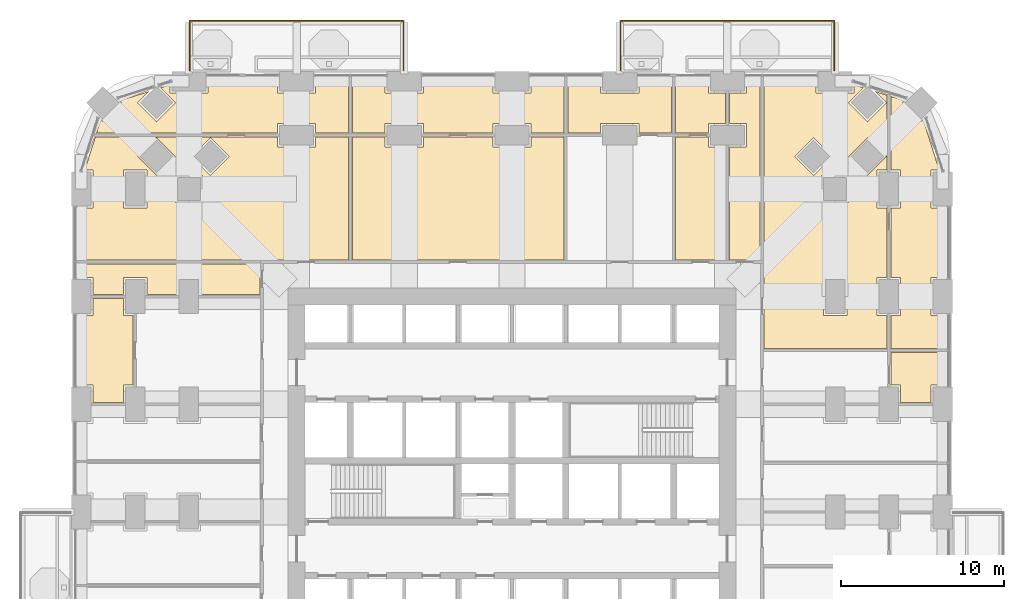
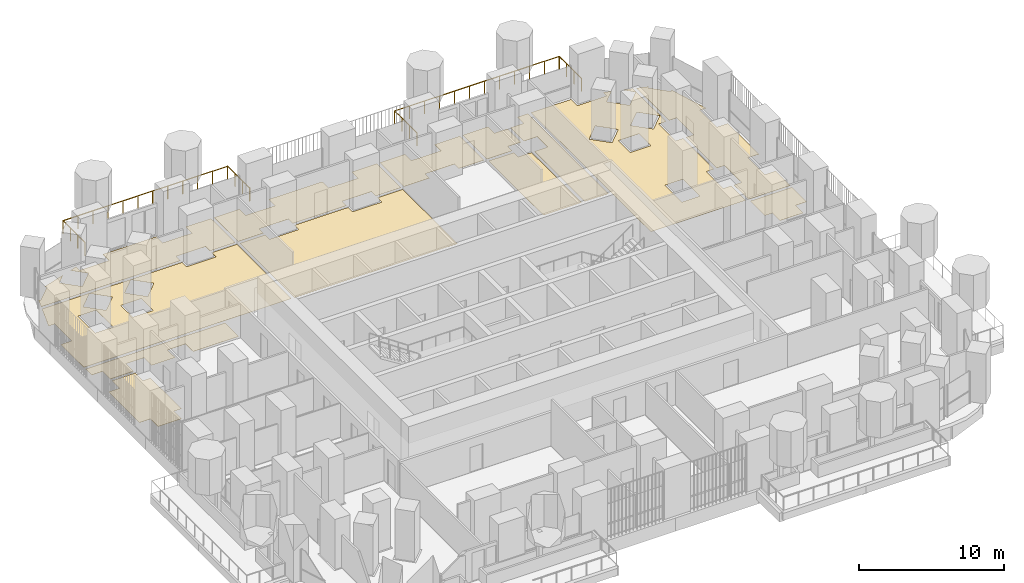
# One storey, part 26 of 27: 13 coverings, 2 railings.
"""IFC4 building model written with IfcOpenShell, lengths in metres."""

from ifc_helpers import new_model, si_unit, direction, frame, origin, place, context, subcontext, project, spatial, polyline, outline, extrude, material, layer, layer_set, type_object, element, save


model = new_model("IFC4")

# Units and contexts
model_context = context("Model", 3, precision=1e-05, world=origin(), true_north=direction((0.0, 1.0)))
body_context = subcontext(model_context, "Body", "Model", "MODEL_VIEW")
ifc_project = project(units=[si_unit("LENGTHUNIT", "METRE"), si_unit("AREAUNIT", "SQUARE_METRE"), si_unit("VOLUMEUNIT", "CUBIC_METRE"), si_unit("PLANEANGLEUNIT", "RADIAN"), si_unit("MASSUNIT", "GRAM", prefix="KILO")], contexts=[model_context])

# Site, building, storey
site_placement = place(None, origin())
site = spatial("IfcSite", under=ifc_project, at=site_placement, CompositionType="ELEMENT")
building_placement = place(site_placement, origin())
building = spatial("IfcBuilding", under=site, at=building_placement, Name="Cobogo Forest Laboratory Tower", CompositionType="ELEMENT")
storey_placement = place(building_placement, frame((0.0, 0.0, 54.89990234375)))
storey = spatial("IfcBuildingStorey", under=building, at=storey_placement, Name="L12", CompositionType="ELEMENT", Elevation=54.89990234375)

# Railings
ifc_material_1 = material(Name="Laminated glass balustrade", Category="glass")
railing_type = type_object("IfcRailingType", Name="BG1 glass balustrade 1100", PredefinedType="GUARDRAIL", material=ifc_material_1)
railing_1_placement = place(storey_placement, frame((6.64990234375, 46.85009765625, 0.0)))
element("IfcRailing", 1, at=railing_1_placement, inside=storey, type_object=railing_type, Name="Balcony balustrade BAL-N1 L12", PredefinedType="GUARDRAIL", context=body_context, shape_type="SweptSolid", body=[
    extrude(outline(polyline([(0.022216796875, 0.00927734375), (0.00927734375, 0.022216796875), (-0.00927734375, 0.022216796875), (-0.022216796875, 0.00927734375), (-0.022216796875, -0.00927734375), (-0.00927734375, -0.022216796875), (0.00927734375, -0.022216796875), (0.022216796875, -0.00927734375), (0.022216796875, 0.00927734375)])), frame((0.0, 0.0, 1.077880859375), z_axis=(0.0, 1.0, 0.0), x_axis=(-1.0, 0.0, 0.0)), (0.0, 0.0, 1.0), 3.0498046875),
    extrude(outline(polyline([(0.022216796875, 0.00927734375), (0.00927734375, 0.022216796875), (-0.00927734375, 0.022216796875), (-0.022216796875, 0.00927734375), (-0.022216796875, -0.00927734375), (-0.00927734375, -0.022216796875), (0.00927734375, -0.022216796875), (0.022216796875, -0.00927734375), (0.022216796875, 0.00927734375)])), frame((0.0, 3.0498046875, 1.077880859375), z_axis=(1.0, 0.0, 0.0), x_axis=(0.0, 1.0, 0.0)), (0.0, 0.0, 1.0), 13.10009765625),
    extrude(outline(polyline([(0.022216796875, 0.00927734375), (0.00927734375, 0.022216796875), (-0.00927734375, 0.022216796875), (-0.022216796875, 0.00927734375), (-0.022216796875, -0.00927734375), (-0.00927734375, -0.022216796875), (0.00927734375, -0.022216796875), (0.022216796875, -0.00927734375), (0.022216796875, 0.00927734375)])), frame((13.10009765625, 3.0498046875, 1.077880859375), z_axis=(0.0, -1.0, 0.0), x_axis=(1.0, 0.0, 0.0)), (0.0, 0.0, 1.0), 3.0498046875),
    extrude(outline(polyline([(0.019287109375, 0.008056640625), (0.008056640625, 0.019287109375), (-0.008056640625, 0.019287109375), (-0.019287109375, 0.008056640625), (-0.019287109375, -0.008056640625), (-0.008056640625, -0.019287109375), (0.008056640625, -0.019287109375), (0.019287109375, -0.008056640625), (0.019287109375, 0.008056640625)])), origin(), (0.0, 0.0, 1.0), 1.077880859375),
    extrude(outline(polyline([(0.019287109375, 0.008056640625), (0.008056640625, 0.019287109375), (-0.008056640625, 0.019287109375), (-0.019287109375, 0.008056640625), (-0.019287109375, -0.008056640625), (-0.008056640625, -0.019287109375), (0.008056640625, -0.019287109375), (0.019287109375, -0.008056640625), (0.019287109375, 0.008056640625)])), frame((0.0, 1.0166015625, 0.0)), (0.0, 0.0, 1.0), 1.077880859375),
    extrude(outline(polyline([(0.019287109375, 0.008056640625), (0.008056640625, 0.019287109375), (-0.008056640625, 0.019287109375), (-0.019287109375, 0.008056640625), (-0.019287109375, -0.008056640625), (-0.008056640625, -0.019287109375), (0.008056640625, -0.019287109375), (0.019287109375, -0.008056640625), (0.019287109375, 0.008056640625)])), frame((0.0, 2.033203125, 0.0)), (0.0, 0.0, 1.0), 1.077880859375),
    extrude(outline(polyline([(0.019287109375, 0.008056640625), (0.008056640625, 0.019287109375), (-0.008056640625, 0.019287109375), (-0.019287109375, 0.008056640625), (-0.019287109375, -0.008056640625), (-0.008056640625, -0.019287109375), (0.008056640625, -0.019287109375), (0.019287109375, -0.008056640625), (0.019287109375, 0.008056640625)])), frame((0.0, 3.0498046875, 0.0)), (0.0, 0.0, 1.0), 1.077880859375),
    extrude(outline(polyline([(0.019287109375, 0.008056640625), (0.008056640625, 0.019287109375), (-0.008056640625, 0.019287109375), (-0.019287109375, 0.008056640625), (-0.019287109375, -0.008056640625), (-0.008056640625, -0.019287109375), (0.008056640625, -0.019287109375), (0.019287109375, -0.008056640625), (0.019287109375, 0.008056640625)])), frame((1.19091796875, 3.0498046875, 0.0)), (0.0, 0.0, 1.0), 1.077880859375),
    extrude(outline(polyline([(0.019287109375, 0.008056640625), (0.008056640625, 0.019287109375), (-0.008056640625, 0.019287109375), (-0.019287109375, 0.008056640625), (-0.019287109375, -0.008056640625), (-0.008056640625, -0.019287109375), (0.008056640625, -0.019287109375), (0.019287109375, -0.008056640625), (0.019287109375, 0.008056640625)])), frame((2.3818359375, 3.0498046875, 0.0)), (0.0, 0.0, 1.0), 1.077880859375),
    extrude(outline(polyline([(0.019287109375, 0.008056640625), (0.008056640625, 0.019287109375), (-0.008056640625, 0.019287109375), (-0.019287109375, 0.008056640625), (-0.019287109375, -0.008056640625), (-0.008056640625, -0.019287109375), (0.008056640625, -0.019287109375), (0.019287109375, -0.008056640625), (0.019287109375, 0.008056640625)])), frame((3.57275390625, 3.0498046875, 0.0)), (0.0, 0.0, 1.0), 1.077880859375),
    extrude(outline(polyline([(0.019287109375, 0.008056640625), (0.008056640625, 0.019287109375), (-0.008056640625, 0.019287109375), (-0.019287109375, 0.008056640625), (-0.019287109375, -0.008056640625), (-0.008056640625, -0.019287109375), (0.008056640625, -0.019287109375), (0.019287109375, -0.008056640625), (0.019287109375, 0.008056640625)])), frame((4.763671875, 3.0498046875, 0.0)), (0.0, 0.0, 1.0), 1.077880859375),
    extrude(outline(polyline([(0.019287109375, 0.008056640625), (0.008056640625, 0.019287109375), (-0.008056640625, 0.019287109375), (-0.019287109375, 0.008056640625), (-0.019287109375, -0.008056640625), (-0.008056640625, -0.019287109375), (0.008056640625, -0.019287109375), (0.019287109375, -0.008056640625), (0.019287109375, 0.008056640625)])), frame((5.95458984375, 3.0498046875, 0.0)), (0.0, 0.0, 1.0), 1.077880859375),
    extrude(outline(polyline([(0.019287109375, 0.008056640625), (0.008056640625, 0.019287109375), (-0.008056640625, 0.019287109375), (-0.019287109375, 0.008056640625), (-0.019287109375, -0.008056640625), (-0.008056640625, -0.019287109375), (0.008056640625, -0.019287109375), (0.019287109375, -0.008056640625), (0.019287109375, 0.008056640625)])), frame((7.1455078125, 3.0498046875, 0.0)), (0.0, 0.0, 1.0), 1.077880859375),
    extrude(outline(polyline([(0.019287109375, 0.008056640625), (0.008056640625, 0.019287109375), (-0.008056640625, 0.019287109375), (-0.019287109375, 0.008056640625), (-0.019287109375, -0.008056640625), (-0.008056640625, -0.019287109375), (0.008056640625, -0.019287109375), (0.019287109375, -0.008056640625), (0.019287109375, 0.008056640625)])), frame((8.33642578125, 3.0498046875, 0.0)), (0.0, 0.0, 1.0), 1.077880859375),
    extrude(outline(polyline([(0.019287109375, 0.008056640625), (0.008056640625, 0.019287109375), (-0.008056640625, 0.019287109375), (-0.019287109375, 0.008056640625), (-0.019287109375, -0.008056640625), (-0.008056640625, -0.019287109375), (0.008056640625, -0.019287109375), (0.019287109375, -0.008056640625), (0.019287109375, 0.008056640625)])), frame((9.52734375, 3.0498046875, 0.0)), (0.0, 0.0, 1.0), 1.077880859375),
    extrude(outline(polyline([(0.019287109375, 0.008056640625), (0.008056640625, 0.019287109375), (-0.008056640625, 0.019287109375), (-0.019287109375, 0.008056640625), (-0.019287109375, -0.008056640625), (-0.008056640625, -0.019287109375), (0.008056640625, -0.019287109375), (0.019287109375, -0.008056640625), (0.019287109375, 0.008056640625)])), frame((10.71826171875, 3.0498046875, 0.0)), (0.0, 0.0, 1.0), 1.077880859375),
    extrude(outline(polyline([(0.019287109375, 0.008056640625), (0.008056640625, 0.019287109375), (-0.008056640625, 0.019287109375), (-0.019287109375, 0.008056640625), (-0.019287109375, -0.008056640625), (-0.008056640625, -0.019287109375), (0.008056640625, -0.019287109375), (0.019287109375, -0.008056640625), (0.019287109375, 0.008056640625)])), frame((11.9091796875, 3.0498046875, 0.0)), (0.0, 0.0, 1.0), 1.077880859375),
    extrude(outline(polyline([(0.019287109375, 0.008056640625), (0.008056640625, 0.019287109375), (-0.008056640625, 0.019287109375), (-0.019287109375, 0.008056640625), (-0.019287109375, -0.008056640625), (-0.008056640625, -0.019287109375), (0.008056640625, -0.019287109375), (0.019287109375, -0.008056640625), (0.019287109375, 0.008056640625)])), frame((13.10009765625, 3.0498046875, 0.0)), (0.0, 0.0, 1.0), 1.077880859375),
    extrude(outline(polyline([(0.019287109375, 0.008056640625), (0.008056640625, 0.019287109375), (-0.008056640625, 0.019287109375), (-0.019287109375, 0.008056640625), (-0.019287109375, -0.008056640625), (-0.008056640625, -0.019287109375), (0.008056640625, -0.019287109375), (0.019287109375, -0.008056640625), (0.019287109375, 0.008056640625)])), frame((13.10009765625, 2.033203125, 0.0)), (0.0, 0.0, 1.0), 1.077880859375),
    extrude(outline(polyline([(0.019287109375, 0.008056640625), (0.008056640625, 0.019287109375), (-0.008056640625, 0.019287109375), (-0.019287109375, 0.008056640625), (-0.019287109375, -0.008056640625), (-0.008056640625, -0.019287109375), (0.008056640625, -0.019287109375), (0.019287109375, -0.008056640625), (0.019287109375, 0.008056640625)])), frame((13.10009765625, 1.0166015625, 0.0)), (0.0, 0.0, 1.0), 1.077880859375),
    extrude(outline(polyline([(0.019287109375, 0.008056640625), (0.008056640625, 0.019287109375), (-0.008056640625, 0.019287109375), (-0.019287109375, 0.008056640625), (-0.019287109375, -0.008056640625), (-0.008056640625, -0.019287109375), (0.008056640625, -0.019287109375), (0.019287109375, -0.008056640625), (0.019287109375, 0.008056640625)])), frame((13.10009765625, 0.0, 0.0)), (0.0, 0.0, 1.0), 1.077880859375),
])
railing_2_placement = place(storey_placement, frame((33.050048828125, 46.85009765625, 0.0)))
element("IfcRailing", 2, at=railing_2_placement, inside=storey, type_object=railing_type, Name="Balcony balustrade BAL-N2 L12", PredefinedType="GUARDRAIL", context=body_context, shape_type="SweptSolid", body=[
    extrude(outline(polyline([(0.022216796875, 0.00927734375), (0.00927734375, 0.022216796875), (-0.00927734375, 0.022216796875), (-0.022216796875, 0.00927734375), (-0.022216796875, -0.00927734375), (-0.00927734375, -0.022216796875), (0.00927734375, -0.022216796875), (0.022216796875, -0.00927734375), (0.022216796875, 0.00927734375)])), frame((0.0, 0.0, 1.077880859375), z_axis=(0.0, 1.0, 0.0), x_axis=(-1.0, 0.0, 0.0)), (0.0, 0.0, 1.0), 3.0498046875),
    extrude(outline(polyline([(0.022216796875, 0.00927734375), (0.00927734375, 0.022216796875), (-0.00927734375, 0.022216796875), (-0.022216796875, 0.00927734375), (-0.022216796875, -0.00927734375), (-0.00927734375, -0.022216796875), (0.00927734375, -0.022216796875), (0.022216796875, -0.00927734375), (0.022216796875, 0.00927734375)])), frame((0.0, 3.0498046875, 1.077880859375), z_axis=(1.0, 0.0, 0.0), x_axis=(0.0, 1.0, 0.0)), (0.0, 0.0, 1.0), 13.099853515625),
    extrude(outline(polyline([(0.022216796875, 0.00927734375), (0.00927734375, 0.022216796875), (-0.00927734375, 0.022216796875), (-0.022216796875, 0.00927734375), (-0.022216796875, -0.00927734375), (-0.00927734375, -0.022216796875), (0.00927734375, -0.022216796875), (0.022216796875, -0.00927734375), (0.022216796875, 0.00927734375)])), frame((13.099853515625, 3.0498046875, 1.077880859375), z_axis=(0.0, -1.0, 0.0), x_axis=(1.0, 0.0, 0.0)), (0.0, 0.0, 1.0), 3.0498046875),
    extrude(outline(polyline([(0.019287109375, 0.008056640625), (0.008056640625, 0.019287109375), (-0.008056640625, 0.019287109375), (-0.019287109375, 0.008056640625), (-0.019287109375, -0.008056640625), (-0.008056640625, -0.019287109375), (0.008056640625, -0.019287109375), (0.019287109375, -0.008056640625), (0.019287109375, 0.008056640625)])), origin(), (0.0, 0.0, 1.0), 1.077880859375),
    extrude(outline(polyline([(0.019287109375, 0.008056640625), (0.008056640625, 0.019287109375), (-0.008056640625, 0.019287109375), (-0.019287109375, 0.008056640625), (-0.019287109375, -0.008056640625), (-0.008056640625, -0.019287109375), (0.008056640625, -0.019287109375), (0.019287109375, -0.008056640625), (0.019287109375, 0.008056640625)])), frame((0.0, 1.0166015625, 0.0)), (0.0, 0.0, 1.0), 1.077880859375),
    extrude(outline(polyline([(0.019287109375, 0.008056640625), (0.008056640625, 0.019287109375), (-0.008056640625, 0.019287109375), (-0.019287109375, 0.008056640625), (-0.019287109375, -0.008056640625), (-0.008056640625, -0.019287109375), (0.008056640625, -0.019287109375), (0.019287109375, -0.008056640625), (0.019287109375, 0.008056640625)])), frame((0.0, 2.033203125, 0.0)), (0.0, 0.0, 1.0), 1.077880859375),
    extrude(outline(polyline([(0.019287109375, 0.008056640625), (0.008056640625, 0.019287109375), (-0.008056640625, 0.019287109375), (-0.019287109375, 0.008056640625), (-0.019287109375, -0.008056640625), (-0.008056640625, -0.019287109375), (0.008056640625, -0.019287109375), (0.019287109375, -0.008056640625), (0.019287109375, 0.008056640625)])), frame((0.0, 3.0498046875, 0.0)), (0.0, 0.0, 1.0), 1.077880859375),
    extrude(outline(polyline([(0.019287109375, 0.008056640625), (0.008056640625, 0.019287109375), (-0.008056640625, 0.019287109375), (-0.019287109375, 0.008056640625), (-0.019287109375, -0.008056640625), (-0.008056640625, -0.019287109375), (0.008056640625, -0.019287109375), (0.019287109375, -0.008056640625), (0.019287109375, 0.008056640625)])), frame((1.19091796875, 3.0498046875, 0.0)), (0.0, 0.0, 1.0), 1.077880859375),
    extrude(outline(polyline([(0.019287109375, 0.008056640625), (0.008056640625, 0.019287109375), (-0.008056640625, 0.019287109375), (-0.019287109375, 0.008056640625), (-0.019287109375, -0.008056640625), (-0.008056640625, -0.019287109375), (0.008056640625, -0.019287109375), (0.019287109375, -0.008056640625), (0.019287109375, 0.008056640625)])), frame((2.3818359375, 3.0498046875, 0.0)), (0.0, 0.0, 1.0), 1.077880859375),
    extrude(outline(polyline([(0.019287109375, 0.008056640625), (0.008056640625, 0.019287109375), (-0.008056640625, 0.019287109375), (-0.019287109375, 0.008056640625), (-0.019287109375, -0.008056640625), (-0.008056640625, -0.019287109375), (0.008056640625, -0.019287109375), (0.019287109375, -0.008056640625), (0.019287109375, 0.008056640625)])), frame((3.57275390625, 3.0498046875, 0.0)), (0.0, 0.0, 1.0), 1.077880859375),
    extrude(outline(polyline([(0.019287109375, 0.008056640625), (0.008056640625, 0.019287109375), (-0.008056640625, 0.019287109375), (-0.019287109375, 0.008056640625), (-0.019287109375, -0.008056640625), (-0.008056640625, -0.019287109375), (0.008056640625, -0.019287109375), (0.019287109375, -0.008056640625), (0.019287109375, 0.008056640625)])), frame((4.763671875, 3.0498046875, 0.0)), (0.0, 0.0, 1.0), 1.077880859375),
    extrude(outline(polyline([(0.019287109375, 0.008056640625), (0.008056640625, 0.019287109375), (-0.008056640625, 0.019287109375), (-0.019287109375, 0.008056640625), (-0.019287109375, -0.008056640625), (-0.008056640625, -0.019287109375), (0.008056640625, -0.019287109375), (0.019287109375, -0.008056640625), (0.019287109375, 0.008056640625)])), frame((5.95458984375, 3.0498046875, 0.0)), (0.0, 0.0, 1.0), 1.077880859375),
    extrude(outline(polyline([(0.019287109375, 0.008056640625), (0.008056640625, 0.019287109375), (-0.008056640625, 0.019287109375), (-0.019287109375, 0.008056640625), (-0.019287109375, -0.008056640625), (-0.008056640625, -0.019287109375), (0.008056640625, -0.019287109375), (0.019287109375, -0.008056640625), (0.019287109375, 0.008056640625)])), frame((7.145263671875, 3.0498046875, 0.0)), (0.0, 0.0, 1.0), 1.077880859375),
    extrude(outline(polyline([(0.019287109375, 0.008056640625), (0.008056640625, 0.019287109375), (-0.008056640625, 0.019287109375), (-0.019287109375, 0.008056640625), (-0.019287109375, -0.008056640625), (-0.008056640625, -0.019287109375), (0.008056640625, -0.019287109375), (0.019287109375, -0.008056640625), (0.019287109375, 0.008056640625)])), frame((8.336181640625, 3.0498046875, 0.0)), (0.0, 0.0, 1.0), 1.077880859375),
    extrude(outline(polyline([(0.019287109375, 0.008056640625), (0.008056640625, 0.019287109375), (-0.008056640625, 0.019287109375), (-0.019287109375, 0.008056640625), (-0.019287109375, -0.008056640625), (-0.008056640625, -0.019287109375), (0.008056640625, -0.019287109375), (0.019287109375, -0.008056640625), (0.019287109375, 0.008056640625)])), frame((9.527099609375, 3.0498046875, 0.0)), (0.0, 0.0, 1.0), 1.077880859375),
    extrude(outline(polyline([(0.019287109375, 0.008056640625), (0.008056640625, 0.019287109375), (-0.008056640625, 0.019287109375), (-0.019287109375, 0.008056640625), (-0.019287109375, -0.008056640625), (-0.008056640625, -0.019287109375), (0.008056640625, -0.019287109375), (0.019287109375, -0.008056640625), (0.019287109375, 0.008056640625)])), frame((10.718017578125, 3.0498046875, 0.0)), (0.0, 0.0, 1.0), 1.077880859375),
    extrude(outline(polyline([(0.019287109375, 0.008056640625), (0.008056640625, 0.019287109375), (-0.008056640625, 0.019287109375), (-0.019287109375, 0.008056640625), (-0.019287109375, -0.008056640625), (-0.008056640625, -0.019287109375), (0.008056640625, -0.019287109375), (0.019287109375, -0.008056640625), (0.019287109375, 0.008056640625)])), frame((11.908935546875, 3.0498046875, 0.0)), (0.0, 0.0, 1.0), 1.077880859375),
    extrude(outline(polyline([(0.019287109375, 0.008056640625), (0.008056640625, 0.019287109375), (-0.008056640625, 0.019287109375), (-0.019287109375, 0.008056640625), (-0.019287109375, -0.008056640625), (-0.008056640625, -0.019287109375), (0.008056640625, -0.019287109375), (0.019287109375, -0.008056640625), (0.019287109375, 0.008056640625)])), frame((13.099853515625, 3.0498046875, 0.0)), (0.0, 0.0, 1.0), 1.077880859375),
    extrude(outline(polyline([(0.019287109375, 0.008056640625), (0.008056640625, 0.019287109375), (-0.008056640625, 0.019287109375), (-0.019287109375, 0.008056640625), (-0.019287109375, -0.008056640625), (-0.008056640625, -0.019287109375), (0.008056640625, -0.019287109375), (0.019287109375, -0.008056640625), (0.019287109375, 0.008056640625)])), frame((13.099853515625, 2.033203125, 0.0)), (0.0, 0.0, 1.0), 1.077880859375),
    extrude(outline(polyline([(0.019287109375, 0.008056640625), (0.008056640625, 0.019287109375), (-0.008056640625, 0.019287109375), (-0.019287109375, 0.008056640625), (-0.019287109375, -0.008056640625), (-0.008056640625, -0.019287109375), (0.008056640625, -0.019287109375), (0.019287109375, -0.008056640625), (0.019287109375, 0.008056640625)])), frame((13.099853515625, 1.0166015625, 0.0)), (0.0, 0.0, 1.0), 1.077880859375),
    extrude(outline(polyline([(0.019287109375, 0.008056640625), (0.008056640625, 0.019287109375), (-0.008056640625, 0.019287109375), (-0.019287109375, 0.008056640625), (-0.019287109375, -0.008056640625), (-0.008056640625, -0.019287109375), (0.008056640625, -0.019287109375), (0.019287109375, -0.008056640625), (0.019287109375, 0.008056640625)])), frame((13.099853515625, 0.0, 0.0)), (0.0, 0.0, 1.0), 1.077880859375),
])

# Coverings
ifc_material_2 = material(Name="Carpet tile on raised access floor", Category="flooring")
ifc_layer_1 = layer(ifc_material_2, 0.008056640625)
ifc_layer_set_1 = layer_set([ifc_layer_1], Name="CT1 carpet tile floor 8")
covering_type_1 = type_object("IfcCoveringType", Name="CT1 carpet tile floor 8", PredefinedType="FLOORING", material=ifc_layer_set_1)
covering_1_placement = place(storey_placement, origin())
element("IfcCovering", 3, at=covering_1_placement, inside=storey, type_object=covering_type_1, Name="Carpet floor L12-16", PredefinedType="FLOORING", context=body_context, shape_type="SweptSolid", body=[
    extrude(outline(polyline([(49.6201171875, 29.580078125), (52.949951171875, 29.580078125), (52.949951171875, 27.570068359375), (52.080078125, 27.570068359375), (52.080078125, 26.52001953125), (50.219970703125, 26.52001953125), (50.219970703125, 27.570068359375), (49.6201171875, 27.570068359375), (49.6201171875, 29.580078125)])), origin(), (0.0, 0.0, 1.0), 0.008056640625),
])
covering_2_placement = place(storey_placement, origin())
element("IfcCovering", 4, at=covering_2_placement, inside=storey, type_object=covering_type_1, Name="Carpet floor L12-18", PredefinedType="FLOORING", context=body_context, shape_type="SweptSolid", body=[
    extrude(outline(polyline([(49.6201171875, 31.830078125), (50.219970703125, 31.830078125), (50.219970703125, 34.169921875), (49.6201171875, 34.169921875), (49.6201171875, 38.429931640625), (50.219970703125, 38.429931640625), (50.219970703125, 40.77001953125), (49.6201171875, 40.77001953125), (49.6201171875, 45.26025390625), (50.441162109375, 45.0009765625), (50.322265625, 44.882080078125), (51.48193359375, 43.722412109375), (51.600830078125, 43.84130859375), (52.57080078125, 40.77001953125), (52.080078125, 40.77001953125), (52.080078125, 38.429931640625), (52.949951171875, 38.429931640625), (52.949951171875, 34.169921875), (52.080078125, 34.169921875), (52.080078125, 31.830078125), (52.949951171875, 31.830078125), (52.949951171875, 29.820068359375), (49.6201171875, 29.820068359375), (49.6201171875, 31.830078125)])), origin(), (0.0, 0.0, 1.0), 0.008056640625),
])
covering_3_placement = place(storey_placement, origin())
element("IfcCovering", 5, at=covering_3_placement, inside=storey, type_object=covering_type_1, Name="Carpet floor L12-20", PredefinedType="FLOORING", context=body_context, shape_type="SweptSolid", body=[
    extrude(outline(polyline([(14.3701171875, 43.02001953125), (14.3701171875, 43.6201171875), (12.030029296875, 43.6201171875), (12.030029296875, 43.02001953125), (0.939697265625, 43.02001953125), (1.19921875, 43.84130859375), (1.318115234375, 43.722412109375), (2.477783203125, 44.882080078125), (2.358642578125, 45.0009765625), (4.1396484375, 45.563232421875), (3.458251953125, 44.882080078125), (4.617919921875, 43.722412109375), (5.777587890625, 44.882080078125), (4.86669921875, 45.79296875), (5.429931640625, 45.970703125), (5.429931640625, 45.47998046875), (7.77001953125, 45.47998046875), (7.77001953125, 46.35009765625), (12.030029296875, 46.35009765625), (12.030029296875, 45.47998046875), (14.3701171875, 45.47998046875), (14.3701171875, 46.35009765625), (16.3798828125, 46.35009765625), (16.3798828125, 43.02001953125), (14.3701171875, 43.02001953125)])), origin(), (0.0, 0.0, 1.0), 0.008056640625),
])
covering_4_placement = place(storey_placement, origin())
element("IfcCovering", 6, at=covering_4_placement, inside=storey, type_object=covering_type_1, Name="Carpet floor L12-22", PredefinedType="FLOORING", context=body_context, shape_type="SweptSolid", body=[
    extrude(outline(polyline([(27.570068359375, 43.02001953125), (27.570068359375, 43.6201171875), (25.22998046875, 43.6201171875), (25.22998046875, 43.02001953125), (20.969970703125, 43.02001953125), (20.969970703125, 43.6201171875), (18.6298828125, 43.6201171875), (18.6298828125, 43.02001953125), (16.6201171875, 43.02001953125), (16.6201171875, 46.35009765625), (18.6298828125, 46.35009765625), (18.6298828125, 45.47998046875), (20.969970703125, 45.47998046875), (20.969970703125, 46.35009765625), (25.22998046875, 46.35009765625), (25.22998046875, 45.47998046875), (27.570068359375, 45.47998046875), (27.570068359375, 46.35009765625), (29.580078125, 46.35009765625), (29.580078125, 43.02001953125), (27.570068359375, 43.02001953125)])), origin(), (0.0, 0.0, 1.0), 0.008056640625),
])
covering_5_placement = place(storey_placement, origin())
element("IfcCovering", 7, at=covering_5_placement, inside=storey, type_object=covering_type_1, Name="Carpet floor L12-24", PredefinedType="FLOORING", context=body_context, shape_type="SweptSolid", body=[
    extrude(outline(polyline([(34.169921875, 43.02001953125), (34.169921875, 43.6201171875), (31.830078125, 43.6201171875), (31.830078125, 43.02001953125), (29.820068359375, 43.02001953125), (29.820068359375, 46.35009765625), (31.830078125, 46.35009765625), (31.830078125, 45.47998046875), (34.169921875, 45.47998046875), (34.169921875, 46.35009765625), (36.179931640625, 46.35009765625), (36.179931640625, 43.02001953125), (34.169921875, 43.02001953125)])), origin(), (0.0, 0.0, 1.0), 0.008056640625),
])
covering_6_placement = place(storey_placement, origin())
element("IfcCovering", 8, at=covering_6_placement, inside=storey, type_object=covering_type_1, Name="Carpet floor L12-26", PredefinedType="FLOORING", context=body_context, shape_type="SweptSolid", body=[
    extrude(outline(polyline([(36.419921875, 43.02001953125), (36.419921875, 46.35009765625), (38.429931640625, 46.35009765625), (38.429931640625, 45.47998046875), (39.47998046875, 45.47998046875), (39.47998046875, 43.6201171875), (38.429931640625, 43.6201171875), (38.429931640625, 43.02001953125), (36.419921875, 43.02001953125)])), origin(), (0.0, 0.0, 1.0), 0.008056640625),
])
covering_7_placement = place(storey_placement, origin())
element("IfcCovering", 9, at=covering_7_placement, inside=storey, type_object=covering_type_1, Name="Carpet floor L12-27", PredefinedType="FLOORING", context=body_context, shape_type="SweptSolid", body=[
    extrude(outline(polyline([(39.719970703125, 35.2451171875), (39.719970703125, 42.179931640625), (40.77001953125, 42.179931640625), (40.77001953125, 43.6201171875), (39.719970703125, 43.6201171875), (39.719970703125, 45.47998046875), (40.77001953125, 45.47998046875), (40.77001953125, 46.35009765625), (41.60498046875, 46.35009765625), (41.60498046875, 35.2451171875), (39.719970703125, 35.2451171875)])), origin(), (0.0, 0.0, 1.0), 0.008056640625),
])
covering_8_placement = place(storey_placement, origin())
element("IfcCovering", 10, at=covering_8_placement, inside=storey, type_object=covering_type_1, Name="Carpet floor L12-35", PredefinedType="FLOORING", context=body_context, shape_type="SweptSolid", body=[
    extrude(outline(polyline([(3.179931640625, 27.570068359375), (2.580078125, 27.570068359375), (2.580078125, 26.52001953125), (0.719970703125, 26.52001953125), (0.719970703125, 27.570068359375), (-0.14990234375, 27.570068359375), (-0.14990234375, 31.830078125), (0.719970703125, 31.830078125), (0.719970703125, 32.8798828125), (2.580078125, 32.8798828125), (2.580078125, 31.830078125), (3.179931640625, 31.830078125), (3.179931640625, 27.570068359375)])), origin(), (0.0, 0.0, 1.0), 0.008056640625),
])
covering_9_placement = place(storey_placement, origin())
element("IfcCovering", 11, at=covering_9_placement, inside=storey, type_object=covering_type_1, Name="Carpet floor L12-36", PredefinedType="FLOORING", context=body_context, shape_type="SweptSolid", body=[
    extrude(outline(polyline([(10.955078125, 33.1201171875), (7.320068359375, 33.1201171875), (7.320068359375, 34.169921875), (5.8798828125, 34.169921875), (5.8798828125, 33.1201171875), (4.02001953125, 33.1201171875), (4.02001953125, 34.169921875), (2.580078125, 34.169921875), (2.580078125, 33.1201171875), (0.719970703125, 33.1201171875), (0.719970703125, 34.169921875), (-0.14990234375, 34.169921875), (-0.14990234375, 35.0048828125), (10.955078125, 35.0048828125), (10.955078125, 33.1201171875)])), origin(), (0.0, 0.0, 1.0), 0.008056640625),
])
ifc_material_3 = material(Name="Epoxy resin flooring", Category="flooring")
ifc_layer_2 = layer(ifc_material_3, 0.00390625)
ifc_layer_set_2 = layer_set([ifc_layer_2], Name="LF1 epoxy laboratory floor 4")
covering_type_2 = type_object("IfcCoveringType", Name="LF1 epoxy laboratory floor 4", PredefinedType="FLOORING", material=ifc_layer_set_2)
covering_10_placement = place(storey_placement, origin())
element("IfcCovering", 12, at=covering_10_placement, inside=storey, type_object=covering_type_2, Name="Epoxy laboratory floor L12-17", PredefinedType="FLOORING", context=body_context, shape_type="SweptSolid", body=[
    extrude(outline(polyline([(41.844970703125, 29.820068359375), (41.844970703125, 46.35009765625), (45.030029296875, 46.35009765625), (45.030029296875, 45.47998046875), (47.3701171875, 45.47998046875), (47.3701171875, 45.970703125), (47.933349609375, 45.79296875), (47.022216796875, 44.882080078125), (48.181884765625, 43.722412109375), (49.341552734375, 44.882080078125), (48.660400390625, 45.563232421875), (49.3798828125, 45.3359375), (49.3798828125, 40.77001953125), (48.780029296875, 40.77001953125), (48.780029296875, 38.429931640625), (49.3798828125, 38.429931640625), (49.3798828125, 34.169921875), (48.780029296875, 34.169921875), (48.780029296875, 31.830078125), (49.3798828125, 31.830078125), (49.3798828125, 29.820068359375), (41.844970703125, 29.820068359375)]), holes=[polyline([(47.022216796875, 41.58203125), (48.181884765625, 40.42236328125), (49.341552734375, 41.58203125), (48.181884765625, 42.74169921875), (47.022216796875, 41.58203125)]), polyline([(47.02001953125, 40.419921875), (45.3798828125, 40.419921875), (45.3798828125, 38.780029296875), (47.02001953125, 38.780029296875), (47.02001953125, 40.419921875)]), polyline([(45.47998046875, 31.830078125), (46.919921875, 31.830078125), (46.919921875, 34.169921875), (45.47998046875, 34.169921875), (45.47998046875, 31.830078125)]), polyline([(43.722412109375, 41.58203125), (44.882080078125, 40.42236328125), (46.041748046875, 41.58203125), (44.882080078125, 42.74169921875), (43.722412109375, 41.58203125)])]), origin(), (0.0, 0.0, 1.0), 0.004150390625),
])
covering_11_placement = place(storey_placement, origin())
element("IfcCovering", 13, at=covering_11_placement, inside=storey, type_object=covering_type_2, Name="Epoxy laboratory floor L12-19", PredefinedType="FLOORING", context=body_context, shape_type="SweptSolid", body=[
    extrude(outline(polyline([(16.3798828125, 35.2451171875), (-0.14990234375, 35.2451171875), (-0.14990234375, 38.429931640625), (0.719970703125, 38.429931640625), (0.719970703125, 40.77001953125), (0.229248046875, 40.77001953125), (0.864013671875, 42.780029296875), (12.030029296875, 42.780029296875), (12.030029296875, 42.179931640625), (14.3701171875, 42.179931640625), (14.3701171875, 42.780029296875), (16.3798828125, 42.780029296875), (16.3798828125, 35.2451171875)]), holes=[polyline([(6.75830078125, 41.58203125), (7.91796875, 40.42236328125), (9.07763671875, 41.58203125), (7.91796875, 42.74169921875), (6.75830078125, 41.58203125)]), polyline([(5.780029296875, 40.419921875), (5.780029296875, 38.780029296875), (7.419921875, 38.780029296875), (7.419921875, 40.419921875), (5.780029296875, 40.419921875)]), polyline([(3.458251953125, 41.58203125), (4.617919921875, 40.42236328125), (5.777587890625, 41.58203125), (4.617919921875, 42.74169921875), (3.458251953125, 41.58203125)]), polyline([(2.580078125, 38.429931640625), (4.02001953125, 38.429931640625), (4.02001953125, 40.77001953125), (2.580078125, 40.77001953125), (2.580078125, 38.429931640625)])]), origin(), (0.0, 0.0, 1.0), 0.004150390625),
])
covering_12_placement = place(storey_placement, origin())
element("IfcCovering", 14, at=covering_12_placement, inside=storey, type_object=covering_type_2, Name="Epoxy laboratory floor L12-21", PredefinedType="FLOORING", context=body_context, shape_type="SweptSolid", body=[
    extrude(outline(polyline([(16.6201171875, 42.780029296875), (18.6298828125, 42.780029296875), (18.6298828125, 42.179931640625), (20.969970703125, 42.179931640625), (20.969970703125, 42.780029296875), (25.22998046875, 42.780029296875), (25.22998046875, 42.179931640625), (27.570068359375, 42.179931640625), (27.570068359375, 42.780029296875), (29.580078125, 42.780029296875), (29.580078125, 35.2451171875), (16.6201171875, 35.2451171875), (16.6201171875, 42.780029296875)])), origin(), (0.0, 0.0, 1.0), 0.004150390625),
])
covering_13_placement = place(storey_placement, origin())
element("IfcCovering", 15, at=covering_13_placement, inside=storey, type_object=covering_type_2, Name="Epoxy laboratory floor L12-25", PredefinedType="FLOORING", context=body_context, shape_type="SweptSolid", body=[
    extrude(outline(polyline([(36.419921875, 42.780029296875), (38.429931640625, 42.780029296875), (38.429931640625, 42.179931640625), (39.47998046875, 42.179931640625), (39.47998046875, 35.2451171875), (36.419921875, 35.2451171875), (36.419921875, 42.780029296875)])), origin(), (0.0, 0.0, 1.0), 0.004150390625),
])

save(model, "model.ifc")
